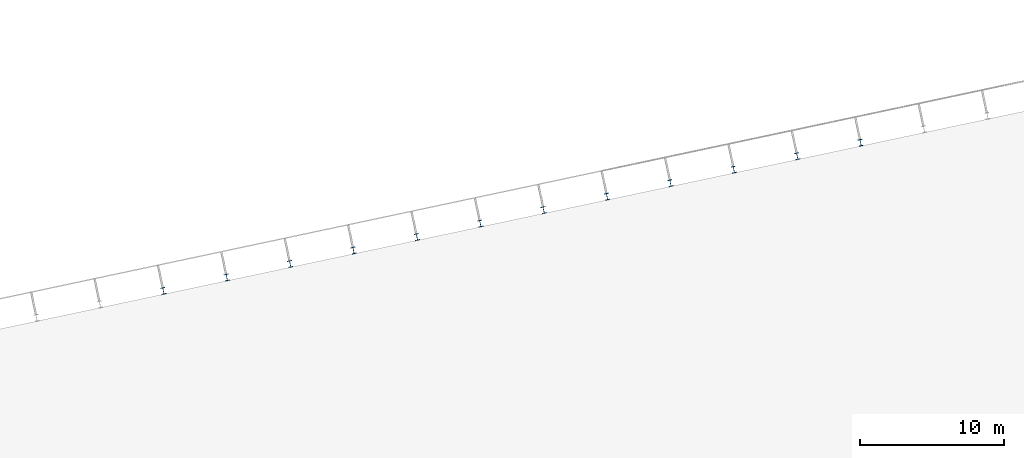
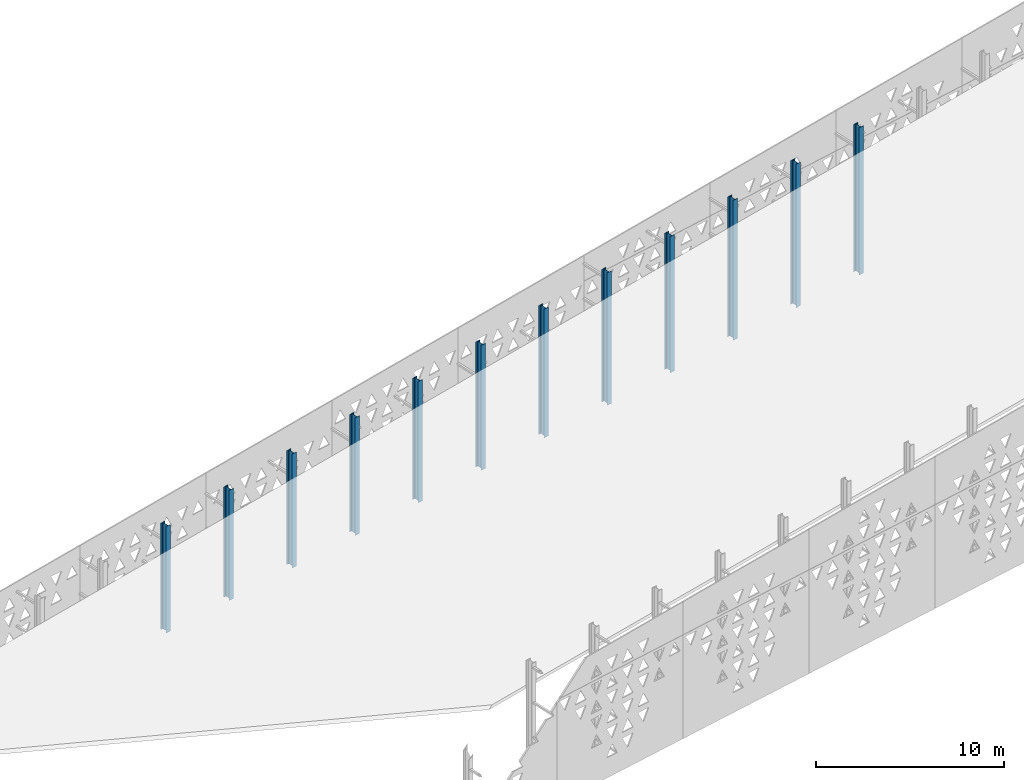
# One storey, part 7 of 41: 12 columns.
"""IFC4 building model written with IfcOpenShell, lengths in metres."""

from ifc_helpers import new_model, si_unit, direction, frame, origin, origin_2d, place, context, subcontext, project, spatial, i_section, extrude, material, material_profile, profile_set, type_object, element, save


model = new_model("IFC4")

# Units and contexts
model_context = context("Model", 3, precision=1e-05, world=origin(), true_north=direction((0.0, 1.0)))
body_context = subcontext(model_context, "Body", "Model", "MODEL_VIEW")
ifc_project = project(units=[si_unit("LENGTHUNIT", "METRE"), si_unit("AREAUNIT", "SQUARE_METRE"), si_unit("VOLUMEUNIT", "CUBIC_METRE"), si_unit("PLANEANGLEUNIT", "RADIAN"), si_unit("MASSUNIT", "GRAM", prefix="KILO")], contexts=[model_context])

# Site, building, storey
site_placement = place(None, origin())
site = spatial("IfcSite", under=ifc_project, at=site_placement, CompositionType="ELEMENT")
building_placement = place(site_placement, origin())
building = spatial("IfcBuilding", under=site, at=building_placement, Name="Okhra Congress Centre", CompositionType="ELEMENT")
storey_placement = place(building_placement, frame((0.0, 0.0, 21.60009765625)))
storey = spatial("IfcBuildingStorey", under=building, at=storey_placement, Name="ROOF", CompositionType="ELEMENT", Elevation=21.60009765625)

# Columns
ifc_material = material(Name="Steel S355J2", Category="steel")
ifc_material_profile = material_profile(ifc_material, i_section(OverallWidth=0.300048828125, OverallDepth=0.449951171875, WebThickness=0.013916015625, FlangeThickness=0.02587890625, FilletRadius=0.027099609375, at=origin_2d()), Name="HE 450 B")
ifc_profile_set = profile_set([ifc_material_profile], Name="Steel S355J2")
column_type = type_object("IfcColumnType", Name="Steel post HE 450 B", PredefinedType="COLUMN", material=ifc_profile_set)
column_1_placement = place(storey_placement, frame((135.2509765625, 67.125732421875, 0.0), z_axis=(0.0, 0.0, 1.0), x_axis=(0.978147600734, 0.207911690818, 0.0)))
element("IfcColumn", 1, at=column_1_placement, inside=storey, type_object=column_type, Name="Screen upstand post N19", PredefinedType="COLUMN", context=body_context, shape_type="SweptSolid", body=[
    extrude(i_section(OverallWidth=0.300048828125, OverallDepth=0.449951171875, WebThickness=0.013916015625, FlangeThickness=0.02587890625, FilletRadius=0.027099609375, at=origin_2d()), origin(), (0.0, 0.0, 1.0), 6.89599609375),
])
column_2_placement = place(storey_placement, frame((139.65283203125, 68.061279296875, 0.0), z_axis=(0.0, 0.0, 1.0), x_axis=(0.978147600734, 0.207911690818, 0.0)))
element("IfcColumn", 2, at=column_2_placement, inside=storey, type_object=column_type, Name="Screen upstand post N20", PredefinedType="COLUMN", context=body_context, shape_type="SweptSolid", body=[
    extrude(i_section(OverallWidth=0.300048828125, OverallDepth=0.449951171875, WebThickness=0.013916015625, FlangeThickness=0.02587890625, FilletRadius=0.027099609375, at=origin_2d()), origin(), (0.0, 0.0, 1.0), 7.13671875),
])
column_3_placement = place(storey_placement, frame((144.054443359375, 68.996826171875, 0.0), z_axis=(0.0, 0.0, 1.0), x_axis=(0.978147600734, 0.207911690818, 0.0)))
element("IfcColumn", 3, at=column_3_placement, inside=storey, type_object=column_type, Name="Screen upstand post N21", PredefinedType="COLUMN", context=body_context, shape_type="SweptSolid", body=[
    extrude(i_section(OverallWidth=0.300048828125, OverallDepth=0.449951171875, WebThickness=0.013916015625, FlangeThickness=0.02587890625, FilletRadius=0.027099609375, at=origin_2d()), origin(), (0.0, 0.0, 1.0), 7.37744140625),
])
column_4_placement = place(storey_placement, frame((148.4560546875, 69.932373046875, 0.0), z_axis=(0.0, 0.0, 1.0), x_axis=(0.978147600734, 0.207911690818, 0.0)))
element("IfcColumn", 4, at=column_4_placement, inside=storey, type_object=column_type, Name="Screen upstand post N22", PredefinedType="COLUMN", context=body_context, shape_type="SweptSolid", body=[
    extrude(i_section(OverallWidth=0.300048828125, OverallDepth=0.449951171875, WebThickness=0.013916015625, FlangeThickness=0.02587890625, FilletRadius=0.027099609375, at=origin_2d()), origin(), (0.0, 0.0, 1.0), 7.618408203125),
])
column_5_placement = place(storey_placement, frame((152.857666015625, 70.867919921875, 0.0), z_axis=(0.0, 0.0, 1.0), x_axis=(0.978147600734, 0.207911690818, 0.0)))
element("IfcColumn", 5, at=column_5_placement, inside=storey, type_object=column_type, Name="Screen upstand post N23", PredefinedType="COLUMN", context=body_context, shape_type="SweptSolid", body=[
    extrude(i_section(OverallWidth=0.300048828125, OverallDepth=0.449951171875, WebThickness=0.013916015625, FlangeThickness=0.02587890625, FilletRadius=0.027099609375, at=origin_2d()), origin(), (0.0, 0.0, 1.0), 7.859130859375),
])
column_6_placement = place(storey_placement, frame((157.25927734375, 71.8037109375, 0.0), z_axis=(0.0, 0.0, 1.0), x_axis=(0.978147600734, 0.207911690818, 0.0)))
element("IfcColumn", 6, at=column_6_placement, inside=storey, type_object=column_type, Name="Screen upstand post N24", PredefinedType="COLUMN", context=body_context, shape_type="SweptSolid", body=[
    extrude(i_section(OverallWidth=0.300048828125, OverallDepth=0.449951171875, WebThickness=0.013916015625, FlangeThickness=0.02587890625, FilletRadius=0.027099609375, at=origin_2d()), origin(), (0.0, 0.0, 1.0), 8.099853515625),
])
column_7_placement = place(storey_placement, frame((161.6611328125, 72.7392578125, 0.0), z_axis=(0.0, 0.0, 1.0), x_axis=(0.978147600734, 0.207911690818, 0.0)))
element("IfcColumn", 7, at=column_7_placement, inside=storey, type_object=column_type, Name="Screen upstand post N25", PredefinedType="COLUMN", context=body_context, shape_type="SweptSolid", body=[
    extrude(i_section(OverallWidth=0.300048828125, OverallDepth=0.449951171875, WebThickness=0.013916015625, FlangeThickness=0.02587890625, FilletRadius=0.027099609375, at=origin_2d()), origin(), (0.0, 0.0, 1.0), 8.340576171875),
])
column_8_placement = place(storey_placement, frame((166.062744140625, 73.6748046875, 0.0), z_axis=(0.0, 0.0, 1.0), x_axis=(0.978147600734, 0.207911690818, 0.0)))
element("IfcColumn", 8, at=column_8_placement, inside=storey, type_object=column_type, Name="Screen upstand post N26", PredefinedType="COLUMN", context=body_context, shape_type="SweptSolid", body=[
    extrude(i_section(OverallWidth=0.300048828125, OverallDepth=0.449951171875, WebThickness=0.013916015625, FlangeThickness=0.02587890625, FilletRadius=0.027099609375, at=origin_2d()), origin(), (0.0, 0.0, 1.0), 8.581298828125),
])
column_9_placement = place(storey_placement, frame((170.46435546875, 74.6103515625, 0.0), z_axis=(0.0, 0.0, 1.0), x_axis=(0.978147600734, 0.207911690818, 0.0)))
element("IfcColumn", 9, at=column_9_placement, inside=storey, type_object=column_type, Name="Screen upstand post N27", PredefinedType="COLUMN", context=body_context, shape_type="SweptSolid", body=[
    extrude(i_section(OverallWidth=0.300048828125, OverallDepth=0.449951171875, WebThickness=0.013916015625, FlangeThickness=0.02587890625, FilletRadius=0.027099609375, at=origin_2d()), origin(), (0.0, 0.0, 1.0), 8.822265625),
])
column_10_placement = place(storey_placement, frame((174.865966796875, 75.546142578125, 0.0), z_axis=(0.0, 0.0, 1.0), x_axis=(0.978147600734, 0.207911690818, 0.0)))
element("IfcColumn", 10, at=column_10_placement, inside=storey, type_object=column_type, Name="Screen upstand post N28", PredefinedType="COLUMN", context=body_context, shape_type="SweptSolid", body=[
    extrude(i_section(OverallWidth=0.300048828125, OverallDepth=0.449951171875, WebThickness=0.013916015625, FlangeThickness=0.02587890625, FilletRadius=0.027099609375, at=origin_2d()), origin(), (0.0, 0.0, 1.0), 9.06298828125),
])
column_11_placement = place(storey_placement, frame((179.267822265625, 76.481689453125, 0.0), z_axis=(0.0, 0.0, 1.0), x_axis=(0.978147600734, 0.207911690818, 0.0)))
element("IfcColumn", 11, at=column_11_placement, inside=storey, type_object=column_type, Name="Screen upstand post N29", PredefinedType="COLUMN", context=body_context, shape_type="SweptSolid", body=[
    extrude(i_section(OverallWidth=0.300048828125, OverallDepth=0.449951171875, WebThickness=0.013916015625, FlangeThickness=0.02587890625, FilletRadius=0.027099609375, at=origin_2d()), origin(), (0.0, 0.0, 1.0), 9.3037109375),
])
column_12_placement = place(storey_placement, frame((183.66943359375, 77.417236328125, 0.0), z_axis=(0.0, 0.0, 1.0), x_axis=(0.978147600734, 0.207911690818, 0.0)))
element("IfcColumn", 12, at=column_12_placement, inside=storey, type_object=column_type, Name="Screen upstand post N30", PredefinedType="COLUMN", context=body_context, shape_type="SweptSolid", body=[
    extrude(i_section(OverallWidth=0.300048828125, OverallDepth=0.449951171875, WebThickness=0.013916015625, FlangeThickness=0.02587890625, FilletRadius=0.027099609375, at=origin_2d()), origin(), (0.0, 0.0, 1.0), 9.54443359375),
])

save(model, "model.ifc")
